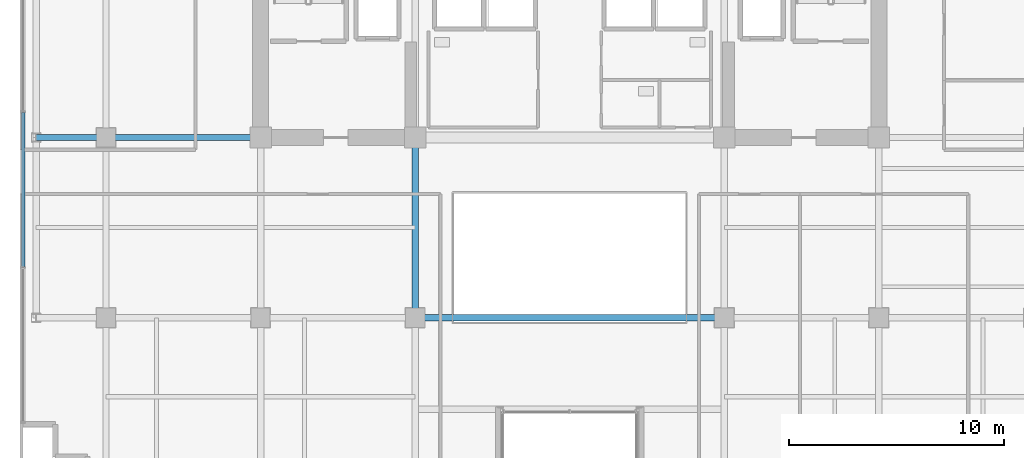
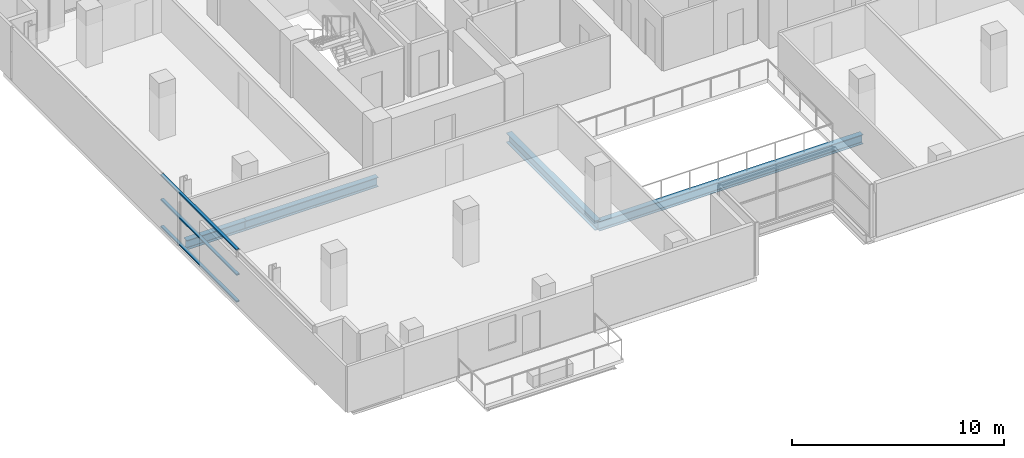
# One storey, part 8 of 25: 4 beams, 3 members, 1 element without a shape of its own.
"""IFC4 building model written with IfcOpenShell, lengths in metres."""

from ifc_helpers import new_model, si_unit, direction, frame, origin, origin_2d, place, context, subcontext, project, spatial, hollow_rectangle, i_section, extrude, source, transform, mapped, material, layer, layer_set, material_profile, profile_set, type_object, element, aggregate, save


model = new_model("IFC4")

# Units and contexts
model_context = context("Model", 3, precision=1e-05, world=origin(), true_north=direction((0.0, 1.0)))
body_context = subcontext(model_context, "Body", "Model", "MODEL_VIEW")
ifc_project = project(units=[si_unit("LENGTHUNIT", "METRE"), si_unit("AREAUNIT", "SQUARE_METRE"), si_unit("VOLUMEUNIT", "CUBIC_METRE"), si_unit("PLANEANGLEUNIT", "RADIAN"), si_unit("MASSUNIT", "GRAM", prefix="KILO")], contexts=[model_context])

# Site, building, storey
site_placement = place(None, origin())
site = spatial("IfcSite", under=ifc_project, at=site_placement, CompositionType="ELEMENT")
building_placement = place(site_placement, origin())
building = spatial("IfcBuilding", under=site, at=building_placement, Name="Zarnakvel Exchange Tower", CompositionType="ELEMENT")
storey_placement = place(building_placement, frame((0.0, 0.0, 126.39990234375)))
storey = spatial("IfcBuildingStorey", under=building, at=storey_placement, Name="L35", CompositionType="ELEMENT", Elevation=126.39990234375)

# Beams
ifc_material_1 = material(Name="Steel S355", Category="steel")
ifc_material_profile_1 = material_profile(ifc_material_1, i_section(OverallWidth=0.300048828125, OverallDepth=0.550048828125, WebThickness=0.014892578125, FlangeThickness=0.029052734375, FilletRadius=0.027099609375, at=origin_2d()))
ifc_profile_set_1 = profile_set([ifc_material_profile_1], Name="Steel S355")
beam_type = type_object("IfcBeamType", Name="G-05", PredefinedType="BEAM", material=ifc_profile_set_1)
beam_1_placement = place(storey_placement, frame((-7.199951171875, -9.60009765625, -0.5), z_axis=(1.0, 0.0, 0.0), x_axis=(0.0, 1.0, 0.0)))
element("IfcBeam", 1, at=beam_1_placement, inside=storey, type_object=beam_type, Name="L35 Tower E-W Frame Beam", PredefinedType="BEAM", context=body_context, shape_type="SweptSolid", body=[
    extrude(i_section(OverallWidth=0.300048828125, OverallDepth=0.550048828125, WebThickness=0.014892578125, FlangeThickness=0.029052734375, FilletRadius=0.027099609375, at=origin_2d()), origin(), (0.0, 0.0, 1.0), 14.39990234375),
])
beam_2_placement = place(storey_placement, frame((-24.85009765625, -1.199951171875, -0.5), z_axis=(1.0, 0.0, 0.0), x_axis=(0.0, 1.0, 0.0)))
element("IfcBeam", 2, at=beam_2_placement, inside=storey, type_object=beam_type, Name="L35 Tower E-W Frame Beam", PredefinedType="BEAM", context=body_context, shape_type="SweptSolid", body=[
    extrude(i_section(OverallWidth=0.300048828125, OverallDepth=0.550048828125, WebThickness=0.014892578125, FlangeThickness=0.029052734375, FilletRadius=0.027099609375, at=origin_2d()), origin(), (0.0, 0.0, 1.0), 3.25),
])
beam_3_placement = place(storey_placement, frame((-21.60009765625, -1.199951171875, -0.5), z_axis=(1.0, 0.0, 0.0), x_axis=(0.0, 1.0, 0.0)))
element("IfcBeam", 3, at=beam_3_placement, inside=storey, type_object=beam_type, Name="L35 Tower E-W Frame Beam", PredefinedType="BEAM", context=body_context, shape_type="SweptSolid", body=[
    extrude(i_section(OverallWidth=0.300048828125, OverallDepth=0.550048828125, WebThickness=0.014892578125, FlangeThickness=0.029052734375, FilletRadius=0.027099609375, at=origin_2d()), origin(), (0.0, 0.0, 1.0), 7.2001953125),
])
beam_4_placement = place(storey_placement, frame((-7.199951171875, -9.60009765625, -0.5), z_axis=(0.0, 1.0, 0.0), x_axis=(-1.0, 0.0, 0.0)))
element("IfcBeam", 4, at=beam_4_placement, inside=storey, type_object=beam_type, Name="L35 Tower N-S Frame Beam", PredefinedType="BEAM", context=body_context, shape_type="SweptSolid", body=[
    extrude(i_section(OverallWidth=0.300048828125, OverallDepth=0.550048828125, WebThickness=0.014892578125, FlangeThickness=0.029052734375, FilletRadius=0.027099609375, at=origin_2d()), origin(), (0.0, 0.0, 1.0), 8.400146484375),
])

# Curtain wall, members
ifc_material_2 = material(Name="Architectural Bronze Anodised Aluminium", Category="aluminium")
ifc_layer = layer(ifc_material_2, 0.199951171875)
ifc_layer_set = layer_set([ifc_layer], Name="Architectural Bronze Anodised Aluminium")
curtain_wall_type = type_object("IfcCurtainWallType", Name="CW-04", PredefinedType="NOTDEFINED", material=ifc_layer_set)
curtain_wall_placement = place(storey_placement, origin())
curtain_wall = element("IfcCurtainWall", 5, at=curtain_wall_placement, inside=storey, type_object=curtain_wall_type, Name="L35 Curtain Wall CW-L35-W1 (CW-04)", PredefinedType="NOTDEFINED")
ifc_material_profile_2 = material_profile(ifc_material_2, hollow_rectangle(XDim=0.159912109375, YDim=0.074951171875, WallThickness=0.00390625, at=origin_2d()))
ifc_profile_set_2 = profile_set([ifc_material_profile_2], Name="Architectural Bronze Anodised Aluminium")
member_type = type_object("IfcMemberType", Name="CWT-04", PredefinedType="USERDEFINED", material=ifc_profile_set_2)
shared_shape = source(origin(), body_context, "Body", "SweptSolid", [
    extrude(hollow_rectangle(XDim=0.159912109375, YDim=0.074951171875, WallThickness=0.00390625, at=origin_2d()), origin(), (0.0, 0.0, 1.0), 7.1748046875),
])
member_1_placement = place(storey_placement, frame((-25.4599609375, -7.21240234375, 0.03759765625), z_axis=(0.0, 1.0, 0.0), x_axis=(-1.0, 0.0, 0.0)))
member_1 = element("IfcMember", 6, at=member_1_placement, type_object=member_type, Name="CW-04 transom 2.1", ObjectType="TRANSOM", PredefinedType="USERDEFINED", context=body_context, shape_type="MappedRepresentation", body=[
    mapped(shared_shape, transform((0.0, 0.0, 0.0), x_axis=(1.0, 0.0, 0.0), y_axis=(0.0, 1.0, 0.0), z_axis=(0.0, 0.0, 1.0), scale=1.0)),
])
member_2_placement = place(storey_placement, frame((-25.4599609375, -7.21240234375, 1.588623046875), z_axis=(0.0, 1.0, 0.0), x_axis=(-1.0, 0.0, 0.0)))
member_2 = element("IfcMember", 7, at=member_2_placement, type_object=member_type, Name="CW-04 transom 2.2", ObjectType="TRANSOM", PredefinedType="USERDEFINED", context=body_context, shape_type="MappedRepresentation", body=[
    mapped(shared_shape, transform((0.0, 0.0, 0.0), x_axis=(1.0, 0.0, 0.0), y_axis=(0.0, 1.0, 0.0), z_axis=(0.0, 0.0, 1.0), scale=1.0)),
])
member_3_placement = place(storey_placement, frame((-25.4599609375, -7.21240234375, 3.017578125), z_axis=(0.0, 1.0, 0.0), x_axis=(-1.0, 0.0, 0.0)))
member_3 = element("IfcMember", 8, at=member_3_placement, type_object=member_type, Name="CW-04 transom 2.3", ObjectType="TRANSOM", PredefinedType="USERDEFINED", context=body_context, shape_type="MappedRepresentation", body=[
    mapped(shared_shape, transform((0.0, 0.0, 0.0), x_axis=(1.0, 0.0, 0.0), y_axis=(0.0, 1.0, 0.0), z_axis=(0.0, 0.0, 1.0), scale=1.0)),
])
aggregate(curtain_wall, [member_1, member_2, member_3])

save(model, "model.ifc")
